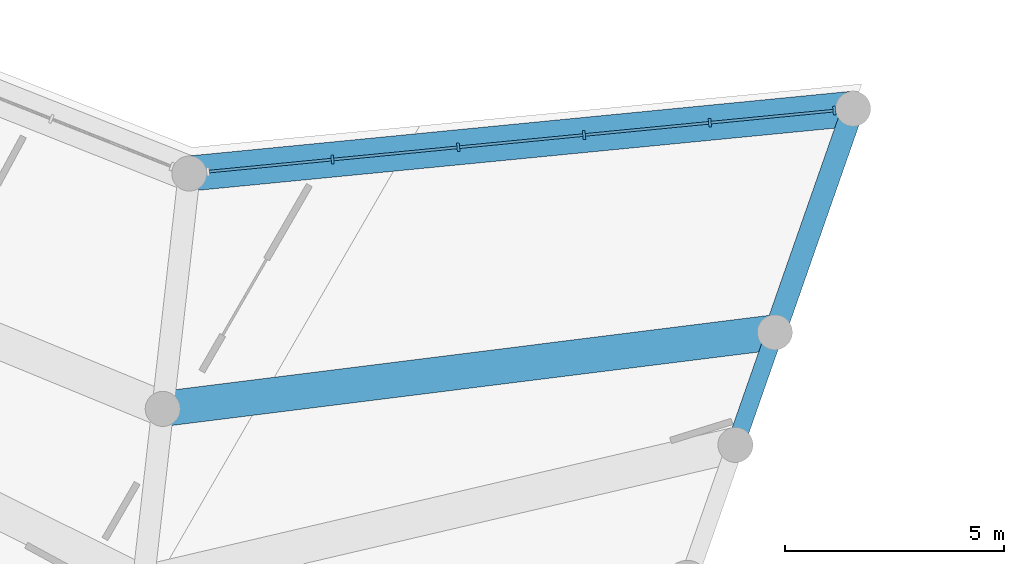
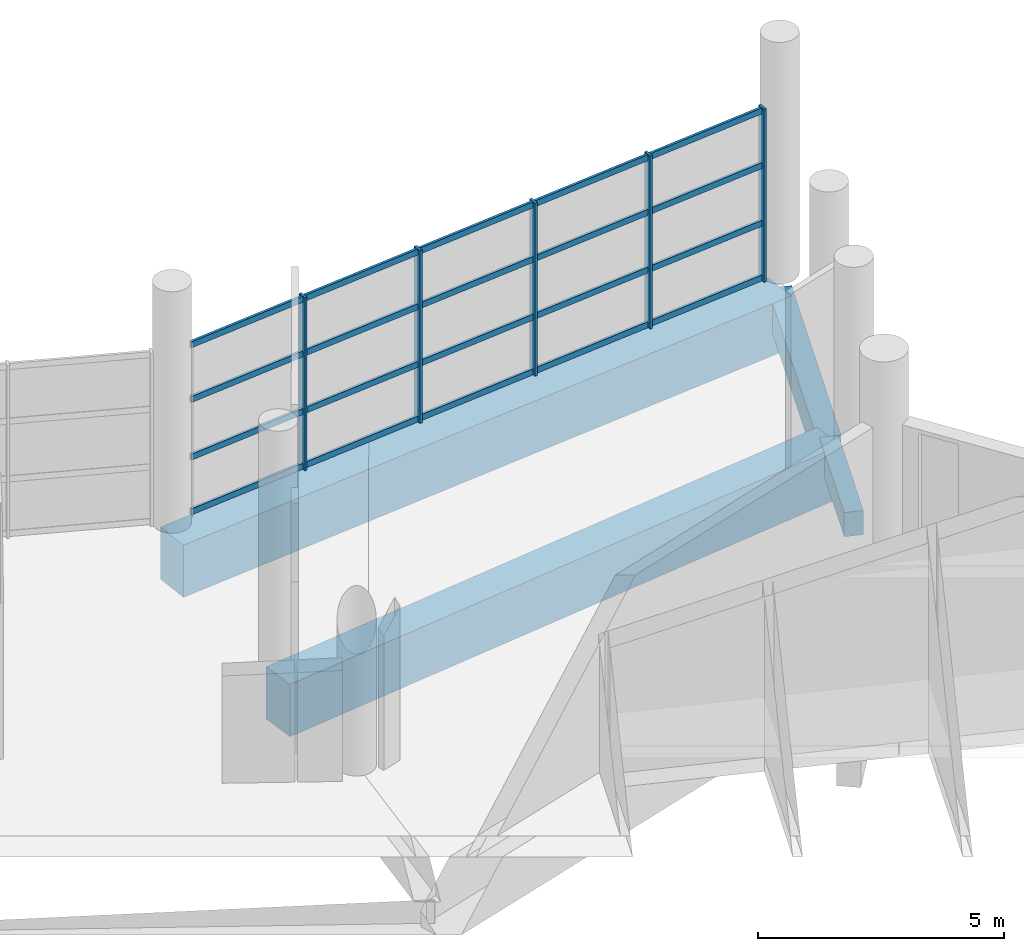
# One storey, part 93 of 249: 25 members, 4 beams, 1 element without a shape of its own.
"""IFC4 building model written with IfcOpenShell, lengths in metres."""

import ifcopenshell
import ifcopenshell.guid

model = None  # the IFC model being written
_history = None  # IfcOwnerHistory: only IFC2X3 demands one
_inside = {}  # id of a spatial element -> (the spatial element, [elements in it])
_under = {}  # id of a project, library or spatial element -> (it, [spatial elements below it])
_declared = {}  # id of a project -> (the project, [libraries it declares])
_typed = {}  # id of a type object -> (the type object, [elements of that type])
_made_of = {}  # id of a material, layer set ... -> (it, [elements and type objects made of it])


def new_model(schema):
    """Start an empty IFC model of exactly this schema.

    Asked for "IFC4X3", IfcOpenShell would pick the latest addendum, in which some entities
    have other attributes; the version numbers below select the first issue.
    IFC2X3 requires an IfcOwnerHistory on every rooted entity: one is made here for all.
    """
    global model, _history
    if schema == "IFC4X3":
        model = ifcopenshell.file(schema_version=(4, 3, 0, 0))
    else:
        model = ifcopenshell.file(schema=schema)
    _inside.clear()
    _under.clear()
    _declared.clear()
    _typed.clear()
    _made_of.clear()
    _history = None
    if model.schema == "IFC2X3":
        org = make("IfcOrganization", Name="unknown")
        user = make(
            "IfcPersonAndOrganization",
            ThePerson=make("IfcPerson", FamilyName="unknown"),
            TheOrganization=org,
        )
        app = make(
            "IfcApplication",
            ApplicationDeveloper=org,
            Version="unknown",
            ApplicationFullName="unknown",
            ApplicationIdentifier="unknown",
        )
        _history = make(
            "IfcOwnerHistory",
            OwningUser=user,
            OwningApplication=app,
            ChangeAction="ADDED",
            CreationDate=0,
        )
    return model


def make(cls, **values):
    """One entity of the class cls with the attributes given. An attribute that is None is left unset."""
    return model.create_entity(
        cls, **{name: value for name, value in values.items() if value is not None}
    )


def rooted(cls, **values):
    """An entity with a GlobalId (a new one), such as an element, a storey or a relation."""
    return make(cls, GlobalId=ifcopenshell.guid.new(), OwnerHistory=_history, **values)


def si_unit(unit_type, name, prefix=None):
    """IfcSIUnit, for example si_unit("LENGTHUNIT", "METRE", prefix="MILLI")."""
    return make("IfcSIUnit", UnitType=unit_type, Prefix=prefix, Name=name)


def assignment(units):
    """IfcUnitAssignment: the units of a project."""
    return None if units is None else make("IfcUnitAssignment", Units=units)


def point(xyz):
    """IfcCartesianPoint."""
    return None if xyz is None else make("IfcCartesianPoint", Coordinates=xyz)


def direction(xyz):
    """IfcDirection."""
    return None if xyz is None else make("IfcDirection", DirectionRatios=xyz)


def frame(location, z_axis=None, x_axis=None):
    """IfcAxis2Placement3D, a coordinate frame: its origin and axes. An axis left out is left unset."""
    return make(
        "IfcAxis2Placement3D",
        Location=point(location),
        Axis=direction(z_axis),
        RefDirection=direction(x_axis),
    )


def frame_2d(location, x_axis=None):
    """IfcAxis2Placement2D, a coordinate frame in the plane: its origin and x axis."""
    return make(
        "IfcAxis2Placement2D", Location=point(location), RefDirection=direction(x_axis)
    )


def origin():
    """The frame at (0, 0, 0) with its axes left unset."""
    return frame((0.0, 0.0, 0.0))


def origin_2d():
    """The frame at (0, 0) in the plane with its x axis left unset."""
    return frame_2d((0.0, 0.0))


def place(relative_to, where):
    """IfcLocalPlacement: puts the frame where relative to a parent placement (None: the world)."""
    return make(
        "IfcLocalPlacement", PlacementRelTo=relative_to, RelativePlacement=where
    )


def context(
    kind, dimensions, precision=None, world=None, true_north=None, identifier=None
):
    """IfcGeometricRepresentationContext, for example the 3D "Model" context."""
    return make(
        "IfcGeometricRepresentationContext",
        ContextIdentifier=identifier,
        ContextType=kind,
        CoordinateSpaceDimension=dimensions,
        Precision=precision,
        WorldCoordinateSystem=world,
        TrueNorth=true_north,
    )


def subcontext(parent, identifier, kind, view, scale=None):
    """IfcGeometricRepresentationSubContext, for example "Body" below "Model"."""
    return make(
        "IfcGeometricRepresentationSubContext",
        ContextIdentifier=identifier,
        ContextType=kind,
        ParentContext=parent,
        TargetScale=scale,
        TargetView=view,
    )


def project(units=None, contexts=None):
    """IfcProject with its units and contexts."""
    return rooted(
        "IfcProject",
        Name="project",
        RepresentationContexts=contexts,
        UnitsInContext=assignment(units),
    )


def spatial(cls, under=None, at=None, **own):
    """A site, building, storey or space (cls), placed at a placement, below another one or the project."""
    s = rooted(cls, ObjectPlacement=at, **own)
    if under is not None:
        _under.setdefault(under.id(), (under, []))[1].append(s)
    return s


def profile(cls, at=None, kind="AREA", **sizes):
    """A parametric profile (cls). Its sizes go by their IFC names, for example OverallWidth=200.0."""
    return make(cls, ProfileType=kind, Position=at, **sizes)


def rectangle(**sizes):
    """IfcRectangleProfileDef."""
    return profile("IfcRectangleProfileDef", **sizes)


def extrude(swept, where, along, depth):
    """IfcExtrudedAreaSolid: the profile swept, set in the frame where, extruded along a direction by depth."""
    return make(
        "IfcExtrudedAreaSolid",
        SweptArea=swept,
        Position=where,
        ExtrudedDirection=direction(along),
        Depth=depth,
    )


def shape(context_of_items, identifier, shape_type, items):
    """IfcShapeRepresentation: the items that make up one representation, for example the "Body"."""
    return make(
        "IfcShapeRepresentation",
        ContextOfItems=context_of_items,
        RepresentationIdentifier=identifier,
        RepresentationType=shape_type,
        Items=items,
    )


def material(Name=None, Category=None):
    """IfcMaterial."""
    return make("IfcMaterial", Name=Name, Category=Category)


def layer(
    of_material, thickness, ventilated=None, Name=None, Category=None, Priority=None
):
    """IfcMaterialLayer: one layer of a wall or slab, of a material (None: an air gap)."""
    return make(
        "IfcMaterialLayer",
        Material=of_material,
        LayerThickness=thickness,
        IsVentilated=ventilated,
        Name=Name,
        Category=Category,
        Priority=Priority,
    )


def layer_set(layers, Name=None):
    """IfcMaterialLayerSet."""
    return make("IfcMaterialLayerSet", MaterialLayers=layers, LayerSetName=Name)


def material_profile(
    of_material, cross_section, Name=None, Category=None, Priority=None
):
    """IfcMaterialProfile: a cross section and its material."""
    return make(
        "IfcMaterialProfile",
        Name=Name,
        Material=of_material,
        Profile=cross_section,
        Priority=Priority,
        Category=Category,
    )


def profile_set(profiles, Name=None, composite=None):
    """IfcMaterialProfileSet."""
    return make(
        "IfcMaterialProfileSet",
        Name=Name,
        MaterialProfiles=profiles,
        CompositeProfile=composite,
    )


def made_of(thing, what):
    """Note that an element or type object is made of a material, layer set ...; save() writes the relation."""
    if what is not None:
        _made_of.setdefault(what.id(), (what, []))[1].append(thing)
    return thing


def type_object(cls, material=None, **own):
    """A type object (cls), such as IfcWallType, which elements share."""
    return made_of(rooted(cls, **own), material)


def element(
    cls,
    number,
    at=None,
    inside=None,
    cuts=None,
    type_object=None,
    material=None,
    context=None,
    identifier="Body",
    shape_type=None,
    held_by="IfcProductDefinitionShape",
    body=None,
    shapes=None,
    **own,
):
    """One element of the class cls, such as IfcWall. Its Tag is "e" and its number.

    at: its placement. inside: the storey or other place that contains it. cuts: it is an
    opening in that element (IfcRelVoidsElement). A single representation is given by context,
    identifier, shape_type and body (its items); several are given by shapes. held_by: the class
    of the entity that holds the representations. save() writes the other relations.
    """
    e = rooted(cls, Tag="e%d" % number, ObjectPlacement=at, **own)
    if body is not None:
        shapes = [shape(context, identifier, shape_type, body)]
    if shapes is not None:
        e.Representation = make(held_by, Representations=shapes)
    if inside is not None:
        _inside.setdefault(inside.id(), (inside, []))[1].append(e)
    if cuts is not None:
        rooted(
            "IfcRelVoidsElement", RelatingBuildingElement=cuts, RelatedOpeningElement=e
        )
    if type_object is not None:
        _typed.setdefault(type_object.id(), (type_object, []))[1].append(e)
    return made_of(e, material)


def aggregate(whole, parts):
    """IfcRelAggregates: a whole, such as a stair, and the parts it consists of."""
    return rooted("IfcRelAggregates", RelatingObject=whole, RelatedObjects=parts)


def save(model, path):
    """Write the relations noted so far, then the file.

    IfcRelAggregates (storeys below a building ...), IfcRelContainedInSpatialStructure (elements
    in a storey), IfcRelDefinesByType, IfcRelAssociatesMaterial and IfcRelDeclares: one each for
    every whole, place, type object, material and project.
    """
    for whole, parts in _under.values():
        aggregate(whole, parts)
    for where, things in _inside.values():
        rooted(
            "IfcRelContainedInSpatialStructure",
            RelatedElements=things,
            RelatingStructure=where,
        )
    for kind, things in _typed.values():
        rooted("IfcRelDefinesByType", RelatedObjects=things, RelatingType=kind)
    for what, things in _made_of.values():
        rooted("IfcRelAssociatesMaterial", RelatedObjects=things, RelatingMaterial=what)
    for by, libraries in _declared.values():
        rooted("IfcRelDeclares", RelatingContext=by, RelatedDefinitions=libraries)
    model.write(path)


model = new_model("IFC4")

# Units and contexts
model_context = context("Model", 3, precision=1e-05, world=origin(), true_north=direction((0.0, 1.0)))
body_context = subcontext(model_context, "Body", "Model", "MODEL_VIEW")
ifc_project = project(units=[si_unit("LENGTHUNIT", "METRE"), si_unit("AREAUNIT", "SQUARE_METRE"), si_unit("VOLUMEUNIT", "CUBIC_METRE"), si_unit("PLANEANGLEUNIT", "RADIAN"), si_unit("MASSUNIT", "GRAM", prefix="KILO")], contexts=[model_context])

# Site, building, storey
site_placement = place(None, origin())
site = spatial("IfcSite", under=ifc_project, at=site_placement, CompositionType="ELEMENT")
building_placement = place(site_placement, origin())
building = spatial("IfcBuilding", under=site, at=building_placement, Name="Meseta Stadium", CompositionType="ELEMENT")
storey_placement = place(building_placement, frame((0.0, 0.0, 12.0)))
storey = spatial("IfcBuildingStorey", under=building, at=storey_placement, Name="L02", CompositionType="ELEMENT", Elevation=12.0)

# Beams
ifc_material_1 = material(Name="Concrete C40/50", Category="concrete")
ifc_material_profile_1 = material_profile(ifc_material_1, rectangle(XDim=0.39990234375, YDim=0.60009765625, at=origin_2d()), Name="RC 400x600")
ifc_profile_set_1 = profile_set([ifc_material_profile_1], Name="Concrete C40/50")
beam_type_1 = type_object("IfcBeamType", Name="RC beam 400x600", PredefinedType="BEAM", material=ifc_profile_set_1)
beam_1_placement = place(storey_placement, frame((65.3935546875, 105.423583984375, -0.64990234375), z_axis=(0.33025443173, 0.943891948436, 0.0), x_axis=(-0.943891948436, 0.33025443173, 0.0)))
element("IfcBeam", 1, at=beam_1_placement, inside=storey, type_object=beam_type_1, Name="L02 radial beam frame 14 line M to Q", PredefinedType="BEAM", context=body_context, shape_type="SweptSolid", body=[
    extrude(rectangle(XDim=0.39990234375, YDim=0.60009765625, at=origin_2d()), origin(), (0.0, 0.0, 1.0), 2.718994140625),
])
ifc_material_2 = material(Name="Concrete C40/50", Category="concrete")
ifc_material_profile_2 = material_profile(ifc_material_2, rectangle(XDim=0.5, YDim=0.75, at=origin_2d()), Name="RC 500x750")
ifc_profile_set_2 = profile_set([ifc_material_profile_2], Name="Concrete C40/50")
beam_type_2 = type_object("IfcBeamType", Name="RC beam 500x750", PredefinedType="BEAM", material=ifc_profile_set_2)
beam_2_placement = place(storey_placement, frame((66.29150390625, 107.989990234375, -0.72509765625), z_axis=(0.330312161181, 0.943871747737, 0.0), x_axis=(-0.943871747737, 0.330312161181, 0.0)))
element("IfcBeam", 2, at=beam_2_placement, inside=storey, type_object=beam_type_2, Name="L02 radial beam frame 14 line Q to O", PredefinedType="BEAM", context=body_context, shape_type="SweptSolid", body=[
    extrude(rectangle(XDim=0.5, YDim=0.75, at=origin_2d()), origin(), (0.0, 0.0, 1.0), 5.39990234375),
])
ifc_material_3 = material(Name="Concrete C40/50", Category="concrete")
ifc_material_profile_3 = material_profile(ifc_material_3, rectangle(XDim=0.800048828125, YDim=1.300048828125, at=origin_2d()), Name="RC 800x1300")
ifc_profile_set_3 = profile_set([ifc_material_profile_3], Name="Concrete C40/50")
beam_type_3 = type_object("IfcBeamType", Name="RC beam 800x1300", PredefinedType="BEAM", material=ifc_profile_set_3)
beam_3_placement = place(storey_placement, frame((66.29150390625, 107.989990234375, -1.0), z_axis=(-0.99226424955, -0.124143703283, 0.0), x_axis=(0.124143703283, -0.99226424955, 0.0)))
element("IfcBeam", 3, at=beam_3_placement, inside=storey, type_object=beam_type_3, Name="L02 ring beam frame 14 line Q", PredefinedType="BEAM", context=body_context, shape_type="SweptSolid", body=[
    extrude(rectangle(XDim=0.800048828125, YDim=1.300048828125, at=origin_2d()), origin(), (0.0, 0.0, 1.0), 14.063232421875),
])
beam_4_placement = place(storey_placement, frame((68.0751953125, 113.0869140625, -1.0), z_axis=(-0.99527217358, -0.097125179524, 0.0), x_axis=(0.097125179524, -0.99527217358, 0.0)))
element("IfcBeam", 4, at=beam_4_placement, inside=storey, type_object=beam_type_3, Name="L02 ring beam frame 14 line O", PredefinedType="BEAM", context=body_context, shape_type="SweptSolid", body=[
    extrude(rectangle(XDim=0.800048828125, YDim=1.300048828125, at=origin_2d()), origin(), (0.0, 0.0, 1.0), 15.205078125),
])

# Curtain wall, members
ifc_material_4 = material(Name="Aluminium", Category="aluminium")
ifc_layer = layer(ifc_material_4, 0.199951171875)
ifc_layer_set = layer_set([ifc_layer], Name="Ring shopfront curtain wall")
curtain_wall_type = type_object("IfcCurtainWallType", Name="Ring shopfront curtain wall", PredefinedType="NOTDEFINED", material=ifc_layer_set)
curtain_wall_placement = place(storey_placement, origin())
curtain_wall = element("IfcCurtainWall", 5, at=curtain_wall_placement, inside=storey, type_object=curtain_wall_type, Name="Ring glazing L02 F14", PredefinedType="NOTDEFINED")
ifc_material_5 = material(Name="Aluminium", Category="aluminium")
ifc_material_profile_4 = material_profile(ifc_material_5, rectangle(XDim=0.199951171875, YDim=0.06005859375, at=origin_2d()), Name="CW 200x60")
ifc_profile_set_4 = profile_set([ifc_material_profile_4], Name="Aluminium")
member_type_1 = type_object("IfcMemberType", Name="Ring CW mullion 60x200", PredefinedType="MULLION", material=ifc_profile_set_4)
member_1_placement = place(storey_placement, frame((67.647216796875, 113.045166015625, 0.0), z_axis=(0.0, 0.0, 1.0), x_axis=(0.097124618973, -0.995272228282, 0.0)))
member_1 = element("IfcMember", 6, at=member_1_placement, type_object=member_type_1, Name="CWR1 mullion 1", PredefinedType="MULLION", context=body_context, shape_type="SweptSolid", body=[
    extrude(rectangle(XDim=0.199951171875, YDim=0.06005859375, at=origin_2d()), origin(), (0.0, 0.0, 1.0), 4.300048828125),
])
member_2_placement = place(storey_placement, frame((64.8095703125, 112.768310546875, 0.0), z_axis=(0.0, 0.0, 1.0), x_axis=(0.097124618973, -0.995272228282, 0.0)))
member_2 = element("IfcMember", 7, at=member_2_placement, type_object=member_type_1, Name="CWR1 mullion 2", PredefinedType="MULLION", context=body_context, shape_type="SweptSolid", body=[
    extrude(rectangle(XDim=0.199951171875, YDim=0.06005859375, at=origin_2d()), origin(), (0.0, 0.0, 1.0), 4.300048828125),
])
member_3_placement = place(storey_placement, frame((61.942138671875, 112.488525390625, 0.0), z_axis=(0.0, 0.0, 1.0), x_axis=(0.097124618973, -0.995272228282, 0.0)))
member_3 = element("IfcMember", 8, at=member_3_placement, type_object=member_type_1, Name="CWR1 mullion 3", PredefinedType="MULLION", context=body_context, shape_type="SweptSolid", body=[
    extrude(rectangle(XDim=0.199951171875, YDim=0.06005859375, at=origin_2d()), origin(), (0.0, 0.0, 1.0), 4.300048828125),
])
member_4_placement = place(storey_placement, frame((59.07470703125, 112.208740234375, 0.0), z_axis=(0.0, 0.0, 1.0), x_axis=(0.097124618973, -0.995272228282, 0.0)))
member_4 = element("IfcMember", 9, at=member_4_placement, type_object=member_type_1, Name="CWR1 mullion 4", PredefinedType="MULLION", context=body_context, shape_type="SweptSolid", body=[
    extrude(rectangle(XDim=0.199951171875, YDim=0.06005859375, at=origin_2d()), origin(), (0.0, 0.0, 1.0), 4.300048828125),
])
member_5_placement = place(storey_placement, frame((56.207275390625, 111.9287109375, 0.0), z_axis=(0.0, 0.0, 1.0), x_axis=(0.097124618973, -0.995272228282, 0.0)))
member_5 = element("IfcMember", 10, at=member_5_placement, type_object=member_type_1, Name="CWR1 mullion 5", PredefinedType="MULLION", context=body_context, shape_type="SweptSolid", body=[
    extrude(rectangle(XDim=0.199951171875, YDim=0.06005859375, at=origin_2d()), origin(), (0.0, 0.0, 1.0), 4.300048828125),
])
ifc_material_6 = material(Name="Aluminium", Category="aluminium")
ifc_material_profile_5 = material_profile(ifc_material_6, rectangle(XDim=0.06005859375, YDim=0.14990234375, at=origin_2d()), Name="CW 60x150")
ifc_profile_set_5 = profile_set([ifc_material_profile_5], Name="Aluminium")
member_type_2 = type_object("IfcMemberType", Name="Ring CW transom 60x150", PredefinedType="USERDEFINED", material=ifc_profile_set_5)
member_6_placement = place(storey_placement, frame((67.6171875, 113.042236328125, 0.074951171875), z_axis=(-0.995275046285, -0.097095737509, 0.0), x_axis=(0.097095737509, -0.995275046285, 0.0)))
member_6 = element("IfcMember", 11, at=member_6_placement, type_object=member_type_2, Name="CWR1 transom 1.1", ObjectType="TRANSOM", PredefinedType="USERDEFINED", context=body_context, shape_type="SweptSolid", body=[
    extrude(rectangle(XDim=0.06005859375, YDim=0.14990234375, at=origin_2d()), origin(), (0.0, 0.0, 1.0), 2.791015625),
])
member_7_placement = place(storey_placement, frame((67.6171875, 113.042236328125, 1.433349609375), z_axis=(-0.995275046285, -0.097095737509, 0.0), x_axis=(0.097095737509, -0.995275046285, 0.0)))
member_7 = element("IfcMember", 12, at=member_7_placement, type_object=member_type_2, Name="CWR1 transom 1.2", ObjectType="TRANSOM", PredefinedType="USERDEFINED", context=body_context, shape_type="SweptSolid", body=[
    extrude(rectangle(XDim=0.06005859375, YDim=0.14990234375, at=origin_2d()), origin(), (0.0, 0.0, 1.0), 2.791015625),
])
member_8_placement = place(storey_placement, frame((67.6171875, 113.042236328125, 2.86669921875), z_axis=(-0.995275046285, -0.097095737509, 0.0), x_axis=(0.097095737509, -0.995275046285, 0.0)))
member_8 = element("IfcMember", 13, at=member_8_placement, type_object=member_type_2, Name="CWR1 transom 1.3", ObjectType="TRANSOM", PredefinedType="USERDEFINED", context=body_context, shape_type="SweptSolid", body=[
    extrude(rectangle(XDim=0.06005859375, YDim=0.14990234375, at=origin_2d()), origin(), (0.0, 0.0, 1.0), 2.791015625),
])
member_9_placement = place(storey_placement, frame((67.6171875, 113.042236328125, 4.22509765625), z_axis=(-0.995275046285, -0.097095737509, 0.0), x_axis=(0.097095737509, -0.995275046285, 0.0)))
member_9 = element("IfcMember", 14, at=member_9_placement, type_object=member_type_2, Name="CWR1 transom 1.4", ObjectType="TRANSOM", PredefinedType="USERDEFINED", context=body_context, shape_type="SweptSolid", body=[
    extrude(rectangle(XDim=0.06005859375, YDim=0.14990234375, at=origin_2d()), origin(), (0.0, 0.0, 1.0), 2.791015625),
])
member_10_placement = place(storey_placement, frame((64.77978515625, 112.765380859375, 0.074951171875), z_axis=(-0.995275041875, -0.097095782713, 0.0), x_axis=(0.097095782713, -0.995275041875, 0.0)))
member_10 = element("IfcMember", 15, at=member_10_placement, type_object=member_type_2, Name="CWR1 transom 2.1", ObjectType="TRANSOM", PredefinedType="USERDEFINED", context=body_context, shape_type="SweptSolid", body=[
    extrude(rectangle(XDim=0.06005859375, YDim=0.14990234375, at=origin_2d()), origin(), (0.0, 0.0, 1.0), 2.8212890625),
])
member_11_placement = place(storey_placement, frame((64.77978515625, 112.765380859375, 1.433349609375), z_axis=(-0.995275041875, -0.097095782713, 0.0), x_axis=(0.097095782713, -0.995275041875, 0.0)))
member_11 = element("IfcMember", 16, at=member_11_placement, type_object=member_type_2, Name="CWR1 transom 2.2", ObjectType="TRANSOM", PredefinedType="USERDEFINED", context=body_context, shape_type="SweptSolid", body=[
    extrude(rectangle(XDim=0.06005859375, YDim=0.14990234375, at=origin_2d()), origin(), (0.0, 0.0, 1.0), 2.8212890625),
])
member_12_placement = place(storey_placement, frame((64.77978515625, 112.765380859375, 2.86669921875), z_axis=(-0.995275041875, -0.097095782713, 0.0), x_axis=(0.097095782713, -0.995275041875, 0.0)))
member_12 = element("IfcMember", 17, at=member_12_placement, type_object=member_type_2, Name="CWR1 transom 2.3", ObjectType="TRANSOM", PredefinedType="USERDEFINED", context=body_context, shape_type="SweptSolid", body=[
    extrude(rectangle(XDim=0.06005859375, YDim=0.14990234375, at=origin_2d()), origin(), (0.0, 0.0, 1.0), 2.8212890625),
])
member_13_placement = place(storey_placement, frame((64.77978515625, 112.765380859375, 4.22509765625), z_axis=(-0.995275041875, -0.097095782713, 0.0), x_axis=(0.097095782713, -0.995275041875, 0.0)))
member_13 = element("IfcMember", 18, at=member_13_placement, type_object=member_type_2, Name="CWR1 transom 2.4", ObjectType="TRANSOM", PredefinedType="USERDEFINED", context=body_context, shape_type="SweptSolid", body=[
    extrude(rectangle(XDim=0.06005859375, YDim=0.14990234375, at=origin_2d()), origin(), (0.0, 0.0, 1.0), 2.8212890625),
])
member_14_placement = place(storey_placement, frame((61.912353515625, 112.485595703125, 0.074951171875), z_axis=(-0.995275041875, -0.097095782713, 0.0), x_axis=(0.097095782713, -0.995275041875, 0.0)))
member_14 = element("IfcMember", 19, at=member_14_placement, type_object=member_type_2, Name="CWR1 transom 3.1", ObjectType="TRANSOM", PredefinedType="USERDEFINED", context=body_context, shape_type="SweptSolid", body=[
    extrude(rectangle(XDim=0.06005859375, YDim=0.14990234375, at=origin_2d()), origin(), (0.0, 0.0, 1.0), 2.8212890625),
])
member_15_placement = place(storey_placement, frame((61.912353515625, 112.485595703125, 1.433349609375), z_axis=(-0.995275041875, -0.097095782713, 0.0), x_axis=(0.097095782713, -0.995275041875, 0.0)))
member_15 = element("IfcMember", 20, at=member_15_placement, type_object=member_type_2, Name="CWR1 transom 3.2", ObjectType="TRANSOM", PredefinedType="USERDEFINED", context=body_context, shape_type="SweptSolid", body=[
    extrude(rectangle(XDim=0.06005859375, YDim=0.14990234375, at=origin_2d()), origin(), (0.0, 0.0, 1.0), 2.8212890625),
])
member_16_placement = place(storey_placement, frame((61.912353515625, 112.485595703125, 2.86669921875), z_axis=(-0.995275041875, -0.097095782713, 0.0), x_axis=(0.097095782713, -0.995275041875, 0.0)))
member_16 = element("IfcMember", 21, at=member_16_placement, type_object=member_type_2, Name="CWR1 transom 3.3", ObjectType="TRANSOM", PredefinedType="USERDEFINED", context=body_context, shape_type="SweptSolid", body=[
    extrude(rectangle(XDim=0.06005859375, YDim=0.14990234375, at=origin_2d()), origin(), (0.0, 0.0, 1.0), 2.8212890625),
])
member_17_placement = place(storey_placement, frame((61.912353515625, 112.485595703125, 4.22509765625), z_axis=(-0.995275041875, -0.097095782713, 0.0), x_axis=(0.097095782713, -0.995275041875, 0.0)))
member_17 = element("IfcMember", 22, at=member_17_placement, type_object=member_type_2, Name="CWR1 transom 3.4", ObjectType="TRANSOM", PredefinedType="USERDEFINED", context=body_context, shape_type="SweptSolid", body=[
    extrude(rectangle(XDim=0.06005859375, YDim=0.14990234375, at=origin_2d()), origin(), (0.0, 0.0, 1.0), 2.8212890625),
])
member_18_placement = place(storey_placement, frame((59.044921875, 112.205810546875, 0.074951171875), z_axis=(-0.995266675468, -0.097181503917, 0.0), x_axis=(0.097181503917, -0.995266675468, 0.0)))
member_18 = element("IfcMember", 23, at=member_18_placement, type_object=member_type_2, Name="CWR1 transom 4.1", ObjectType="TRANSOM", PredefinedType="USERDEFINED", context=body_context, shape_type="SweptSolid", body=[
    extrude(rectangle(XDim=0.06005859375, YDim=0.14990234375, at=origin_2d()), origin(), (0.0, 0.0, 1.0), 2.8212890625),
])
member_19_placement = place(storey_placement, frame((59.044921875, 112.205810546875, 1.433349609375), z_axis=(-0.995266675468, -0.097181503917, 0.0), x_axis=(0.097181503917, -0.995266675468, 0.0)))
member_19 = element("IfcMember", 24, at=member_19_placement, type_object=member_type_2, Name="CWR1 transom 4.2", ObjectType="TRANSOM", PredefinedType="USERDEFINED", context=body_context, shape_type="SweptSolid", body=[
    extrude(rectangle(XDim=0.06005859375, YDim=0.14990234375, at=origin_2d()), origin(), (0.0, 0.0, 1.0), 2.8212890625),
])
member_20_placement = place(storey_placement, frame((59.044921875, 112.205810546875, 2.86669921875), z_axis=(-0.995266675468, -0.097181503917, 0.0), x_axis=(0.097181503917, -0.995266675468, 0.0)))
member_20 = element("IfcMember", 25, at=member_20_placement, type_object=member_type_2, Name="CWR1 transom 4.3", ObjectType="TRANSOM", PredefinedType="USERDEFINED", context=body_context, shape_type="SweptSolid", body=[
    extrude(rectangle(XDim=0.06005859375, YDim=0.14990234375, at=origin_2d()), origin(), (0.0, 0.0, 1.0), 2.8212890625),
])
member_21_placement = place(storey_placement, frame((59.044921875, 112.205810546875, 4.22509765625), z_axis=(-0.995266675468, -0.097181503917, 0.0), x_axis=(0.097181503917, -0.995266675468, 0.0)))
member_21 = element("IfcMember", 26, at=member_21_placement, type_object=member_type_2, Name="CWR1 transom 4.4", ObjectType="TRANSOM", PredefinedType="USERDEFINED", context=body_context, shape_type="SweptSolid", body=[
    extrude(rectangle(XDim=0.06005859375, YDim=0.14990234375, at=origin_2d()), origin(), (0.0, 0.0, 1.0), 2.8212890625),
])
member_22_placement = place(storey_placement, frame((56.177490234375, 111.926025390625, 0.074951171875), z_axis=(-0.995266589398, -0.097182385377, 0.0), x_axis=(0.097182385377, -0.995266589398, 0.0)))
member_22 = element("IfcMember", 27, at=member_22_placement, type_object=member_type_2, Name="CWR1 transom 5.1", ObjectType="TRANSOM", PredefinedType="USERDEFINED", context=body_context, shape_type="SweptSolid", body=[
    extrude(rectangle(XDim=0.06005859375, YDim=0.14990234375, at=origin_2d()), origin(), (0.0, 0.0, 1.0), 2.791015625),
])
member_23_placement = place(storey_placement, frame((56.177490234375, 111.926025390625, 1.433349609375), z_axis=(-0.995266589398, -0.097182385377, 0.0), x_axis=(0.097182385377, -0.995266589398, 0.0)))
member_23 = element("IfcMember", 28, at=member_23_placement, type_object=member_type_2, Name="CWR1 transom 5.2", ObjectType="TRANSOM", PredefinedType="USERDEFINED", context=body_context, shape_type="SweptSolid", body=[
    extrude(rectangle(XDim=0.06005859375, YDim=0.14990234375, at=origin_2d()), origin(), (0.0, 0.0, 1.0), 2.791015625),
])
member_24_placement = place(storey_placement, frame((56.177490234375, 111.926025390625, 2.86669921875), z_axis=(-0.995266589398, -0.097182385377, 0.0), x_axis=(0.097182385377, -0.995266589398, 0.0)))
member_24 = element("IfcMember", 29, at=member_24_placement, type_object=member_type_2, Name="CWR1 transom 5.3", ObjectType="TRANSOM", PredefinedType="USERDEFINED", context=body_context, shape_type="SweptSolid", body=[
    extrude(rectangle(XDim=0.06005859375, YDim=0.14990234375, at=origin_2d()), origin(), (0.0, 0.0, 1.0), 2.791015625),
])
member_25_placement = place(storey_placement, frame((56.177490234375, 111.926025390625, 4.22509765625), z_axis=(-0.995266589398, -0.097182385377, 0.0), x_axis=(0.097182385377, -0.995266589398, 0.0)))
member_25 = element("IfcMember", 30, at=member_25_placement, type_object=member_type_2, Name="CWR1 transom 5.4", ObjectType="TRANSOM", PredefinedType="USERDEFINED", context=body_context, shape_type="SweptSolid", body=[
    extrude(rectangle(XDim=0.06005859375, YDim=0.14990234375, at=origin_2d()), origin(), (0.0, 0.0, 1.0), 2.791015625),
])
aggregate(curtain_wall, [member_1, member_2, member_3, member_4, member_5, member_6, member_7, member_8, member_9, member_10, member_11, member_12, member_13, member_14, member_15, member_16, member_17, member_18, member_19, member_20, member_21, member_22, member_23, member_24, member_25])

save(model, "model.ifc")
